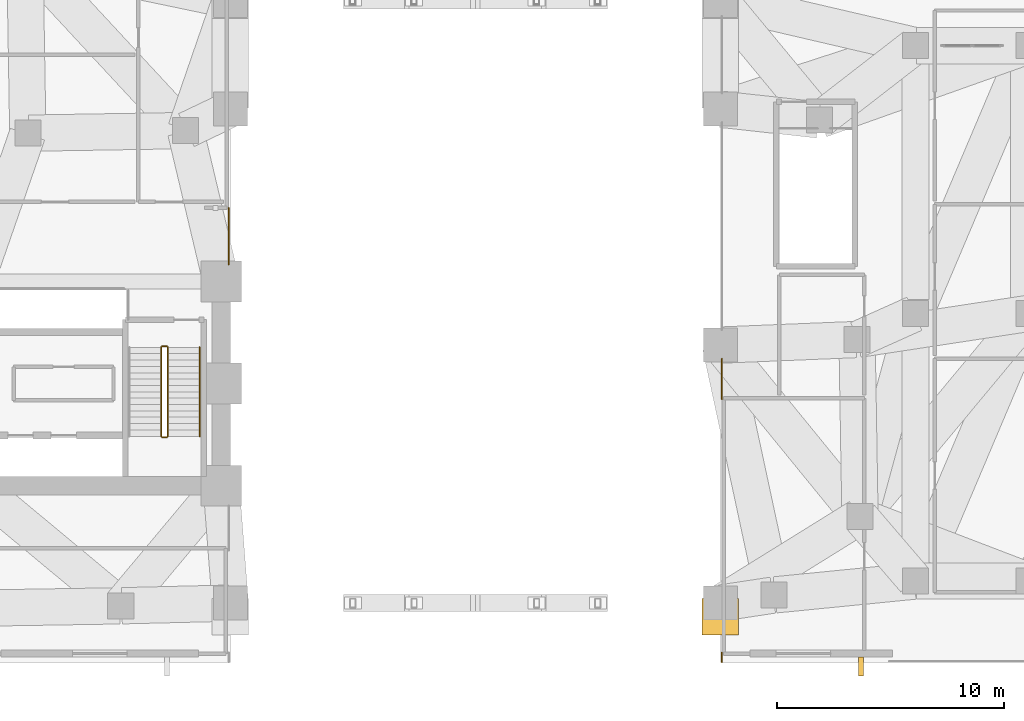
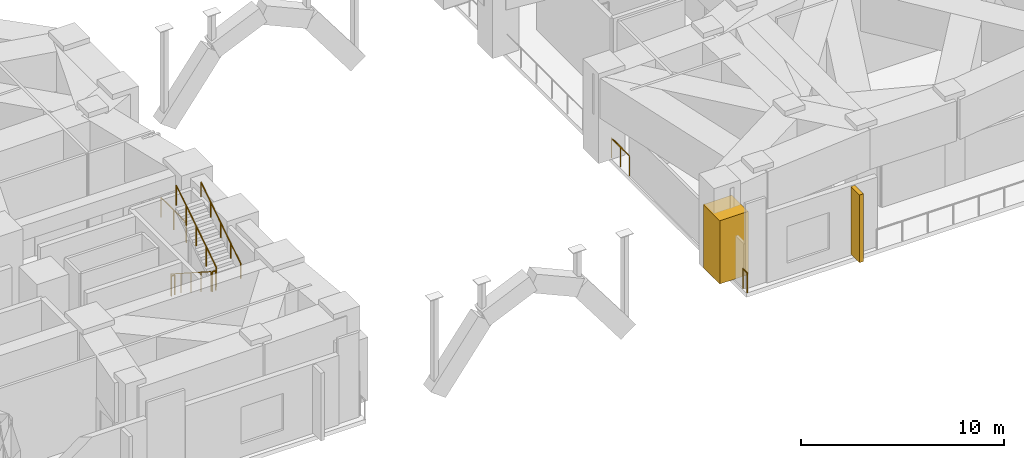
# One storey, part 13 of 15: 8 railings, 1 covering, 1 shading device.
"""IFC4 building model written with IfcOpenShell, lengths in metres."""

from ifc_helpers import new_model, si_unit, direction, frame, origin, origin_2d, place, context, subcontext, project, spatial, rectangle, circle, extrude, material, layer, layer_set, type_object, element, save


model = new_model("IFC4")

# Units and contexts
model_context = context("Model", 3, precision=1e-05, world=origin(), true_north=direction((0.0, 1.0)))
body_context = subcontext(model_context, "Body", "Model", "MODEL_VIEW")
ifc_project = project(units=[si_unit("LENGTHUNIT", "METRE"), si_unit("AREAUNIT", "SQUARE_METRE"), si_unit("VOLUMEUNIT", "CUBIC_METRE"), si_unit("PLANEANGLEUNIT", "RADIAN"), si_unit("MASSUNIT", "GRAM", prefix="KILO")], contexts=[model_context])

# Site, building, storey
site_placement = place(None, origin())
site = spatial("IfcSite", under=ifc_project, at=site_placement, CompositionType="ELEMENT")
building_placement = place(site_placement, origin())
building = spatial("IfcBuilding", under=site, at=building_placement, Name="Gaonmaruhae Medical Tower", CompositionType="ELEMENT")
storey_placement = place(building_placement, frame((0.0, 0.0, 21.60009765625)))
storey = spatial("IfcBuildingStorey", under=building, at=storey_placement, Name="L04", CompositionType="ELEMENT", Elevation=21.60009765625)

# Covering
ifc_material_1 = material(Name="Architectural precast column cladding", Category="concrete")
ifc_layer_1 = layer(ifc_material_1, 0.06005859375)
ifc_layer_set_1 = layer_set([ifc_layer_1], Name="Architectural precast column cladding")
covering_type = type_object("IfcCoveringType", Name="CLD-01 Architectural Precast Pier Cladding", PredefinedType="CLADDING", material=ifc_layer_set_1)
covering_placement = place(storey_placement, frame((57.60009765625, 2.02001953125, 0.10009765625), z_axis=(0.0, 0.0, 1.0), x_axis=(1.0, 0.0, 0.0)))
element("IfcCovering", 1, at=covering_placement, inside=storey, type_object=covering_type, Name="L04 Architectural Precast Column Cladding 2", PredefinedType="CLADDING", context=body_context, shape_type="SweptSolid", body=[
    extrude(rectangle(XDim=1.6201171875, YDim=1.6201171875, at=origin_2d()), origin(), (0.0, 0.0, 1.0), 3.800048828125),
])

# Railings
ifc_material_2 = material(Name="Stainless steel 316L and laminated safety glass", Category="steel")
ifc_layer_2 = layer(ifc_material_2, 0.080078125)
ifc_layer_set_2 = layer_set([ifc_layer_2], Name="Stainless steel 316L and laminated safety glass")
railing_type_1 = type_object("IfcRailingType", Name="GD-120 Outdoor Terrace Safety Glass & Steel Balustrade", PredefinedType="BALUSTRADE", material=ifc_layer_set_2)
railing_1_placement = place(storey_placement, frame((35.929931640625, 20.046875, 0.0)))
element("IfcRailing", 2, at=railing_1_placement, inside=storey, type_object=railing_type_1, Name="L04 Perimeter Slab Edge Safety Balustrade 13", PredefinedType="BALUSTRADE", context=body_context, shape_type="SweptSolid", body=[
    extrude(circle(Radius=0.02392578125, at=origin_2d()), frame((0.0, 0.0, 1.17578125), z_axis=(0.0, -1.0, 0.0), x_axis=(1.0, 0.0, 0.0)), (0.0, 0.0, 1.0), 2.49853515625),
    extrude(circle(Radius=0.02099609375, at=origin_2d()), origin(), (0.0, 0.0, 1.0), 1.15185546875),
    extrude(circle(Radius=0.02099609375, at=origin_2d()), frame((0.0, -1.249267578125, 0.0)), (0.0, 0.0, 1.0), 1.15185546875),
    extrude(circle(Radius=0.02099609375, at=origin_2d()), frame((0.0, -2.49853515625, 0.0)), (0.0, 0.0, 1.0), 1.15185546875),
])
railing_2_placement = place(storey_placement, frame((57.669921875, 0.02001953125, 0.0)))
element("IfcRailing", 3, at=railing_2_placement, inside=storey, type_object=railing_type_1, Name="L04 Perimeter Slab Edge Safety Balustrade 34", PredefinedType="BALUSTRADE", context=body_context, shape_type="SweptSolid", body=[
    extrude(circle(Radius=0.02392578125, at=origin_2d()), frame((0.0, 0.0, 1.17578125), z_axis=(0.0, 1.0, 0.0), x_axis=(-1.0, 0.0, 0.0)), (0.0, 0.0, 1.0), 0.419677734375),
    extrude(circle(Radius=0.02099609375, at=origin_2d()), origin(), (0.0, 0.0, 1.0), 1.15185546875),
    extrude(circle(Radius=0.02099609375, at=origin_2d()), frame((0.0, 0.419677734375, 0.0)), (0.0, 0.0, 1.0), 1.15185546875),
])
railing_3_placement = place(storey_placement, frame((57.669921875, 11.6123046875, 0.0)))
element("IfcRailing", 4, at=railing_3_placement, inside=storey, type_object=railing_type_1, Name="L04 Perimeter Slab Edge Safety Balustrade 35", PredefinedType="BALUSTRADE", context=body_context, shape_type="SweptSolid", body=[
    extrude(circle(Radius=0.02392578125, at=origin_2d()), frame((0.0, 0.0, 1.17578125), z_axis=(0.0, 1.0, 0.0), x_axis=(-1.0, 0.0, 0.0)), (0.0, 0.0, 1.0), 1.77880859375),
    extrude(circle(Radius=0.02099609375, at=origin_2d()), origin(), (0.0, 0.0, 1.0), 1.15185546875),
    extrude(circle(Radius=0.02099609375, at=origin_2d()), frame((0.0, 0.889404296875, 0.0)), (0.0, 0.0, 1.0), 1.15185546875),
    extrude(circle(Radius=0.02099609375, at=origin_2d()), frame((0.0, 1.77880859375, 0.0)), (0.0, 0.0, 1.0), 1.15185546875),
])
ifc_material_3 = material(Name="Stainless steel 304 handrail", Category="steel")
railing_type_2 = type_object("IfcRailingType", Name="HR-092 Continuous Stainless Steel Stair Handrail", PredefinedType="HANDRAIL", material=ifc_material_3)
railing_4_placement = place(storey_placement, frame((34.64990234375, 9.97998046875, 2.8798828125)))
element("IfcRailing", 5, at=railing_4_placement, inside=storey, type_object=railing_type_2, Name="L04 ST-02 stair handrail 2", PredefinedType="HANDRAIL", context=body_context, shape_type="SweptSolid", body=[
    extrude(circle(Radius=0.02392578125, at=origin_2d()), frame((0.0, 0.0, 0.8759765625), z_axis=(0.0, 0.841171666519, 0.540768182723), x_axis=(-1.0, 0.0, 0.0)), (0.0, 0.0, 1.0), 4.66015625),
    extrude(circle(Radius=0.02099609375, at=origin_2d()), origin(), (0.0, 0.0, 1.0), 0.851806640625),
    extrude(circle(Radius=0.02099609375, at=origin_2d()), frame((0.0, 0.97998046875, 0.6298828125)), (0.0, 0.0, 1.0), 0.851806640625),
    extrude(circle(Radius=0.02099609375, at=origin_2d()), frame((0.0, 1.9599609375, 1.260009765625)), (0.0, 0.0, 1.0), 0.851806640625),
    extrude(circle(Radius=0.02099609375, at=origin_2d()), frame((0.0, 2.93994140625, 1.89013671875)), (0.0, 0.0, 1.0), 0.851806640625),
    extrude(circle(Radius=0.02099609375, at=origin_2d()), frame((0.0, 3.919921875, 2.52001953125)), (0.0, 0.0, 1.0), 0.851806640625),
])

# Shading device
ifc_material_4 = material(Name="Pigmented coral precast concrete C45/55", Category="concrete")
shading_device_type = type_object("IfcShadingDeviceType", Name="SD-FIN2 Podium Vertical Coral Precast Shading Fin", PredefinedType="USERDEFINED", material=ifc_material_4)
shading_device_placement = place(storey_placement, frame((63.800048828125, -0.1650390625, 0.059814453125), z_axis=(0.0, 0.0, 1.0), x_axis=(-1.0, 0.0, 0.0)))
element("IfcShadingDevice", 6, at=shading_device_placement, inside=storey, type_object=shading_device_type, Name="L04 Podium Coral Precast Shading Fin PB-S4", ObjectType="FIN", PredefinedType="USERDEFINED", context=body_context, shape_type="SweptSolid", body=[
    extrude(rectangle(XDim=0.219970703125, YDim=0.85009765625, at=origin_2d()), origin(), (0.0, 0.0, 1.0), 4.06005859375),
])

# Railings
ifc_material_5 = material(Name="Stainless steel 304 balustrade", Category="steel")
railing_type_3 = type_object("IfcRailingType", Name="SG-112 Stair Well & Ramp Void Safety Balustrade", PredefinedType="BALUSTRADE", material=ifc_material_5)
railing_5_placement = place(storey_placement, frame((32.949951171875, 13.89990234375, 0.179931640625)))
element("IfcRailing", 7, at=railing_5_placement, inside=storey, type_object=railing_type_3, Name="L04 ST-02 stair guard 1", PredefinedType="BALUSTRADE", context=body_context, shape_type="SweptSolid", body=[
    extrude(circle(Radius=0.02392578125, at=origin_2d()), frame((0.0, 0.0, 1.17578125), z_axis=(0.0, -0.841171666519, 0.540768182723), x_axis=(1.0, 0.0, 0.0)), (0.0, 0.0, 1.0), 4.66015625),
    extrude(circle(Radius=0.02099609375, at=origin_2d()), origin(), (0.0, 0.0, 1.0), 1.15185546875),
    extrude(circle(Radius=0.02099609375, at=origin_2d()), frame((0.0, -0.97998046875, 0.6298828125)), (0.0, 0.0, 1.0), 1.15185546875),
    extrude(circle(Radius=0.02099609375, at=origin_2d()), frame((0.0, -1.9599609375, 1.260009765625)), (0.0, 0.0, 1.0), 1.15185546875),
    extrude(circle(Radius=0.02099609375, at=origin_2d()), frame((0.0, -2.93994140625, 1.89013671875)), (0.0, 0.0, 1.0), 1.15185546875),
    extrude(circle(Radius=0.02099609375, at=origin_2d()), frame((0.0, -3.919921875, 2.52001953125)), (0.0, 0.0, 1.0), 1.15185546875),
])
railing_6_placement = place(storey_placement, frame((33.0, 9.929931640625, 2.699951171875)))
element("IfcRailing", 8, at=railing_6_placement, inside=storey, type_object=railing_type_3, Name="L04 ST-02 stair guard 2", PredefinedType="BALUSTRADE", context=body_context, shape_type="SweptSolid", body=[
    extrude(circle(Radius=0.02392578125, at=origin_2d()), frame((0.0, 0.0, 1.17578125), z_axis=(1.0, 0.0, 0.0), x_axis=(0.0, 1.0, 0.0)), (0.0, 0.0, 1.0), 0.199951171875),
    extrude(circle(Radius=0.02099609375, at=origin_2d()), origin(), (0.0, 0.0, 1.0), 1.15185546875),
    extrude(circle(Radius=0.02099609375, at=origin_2d()), frame((0.199951171875, 0.0, 0.0)), (0.0, 0.0, 1.0), 1.15185546875),
])
railing_7_placement = place(storey_placement, frame((33.25, 9.97998046875, 2.8798828125)))
element("IfcRailing", 9, at=railing_7_placement, inside=storey, type_object=railing_type_3, Name="L04 ST-02 stair guard 3", PredefinedType="BALUSTRADE", context=body_context, shape_type="SweptSolid", body=[
    extrude(circle(Radius=0.02392578125, at=origin_2d()), frame((0.0, 0.0, 1.17578125), z_axis=(0.0, 0.841171666519, 0.540768182723), x_axis=(-1.0, 0.0, 0.0)), (0.0, 0.0, 1.0), 4.66015625),
    extrude(circle(Radius=0.02099609375, at=origin_2d()), origin(), (0.0, 0.0, 1.0), 1.15185546875),
    extrude(circle(Radius=0.02099609375, at=origin_2d()), frame((0.0, 0.97998046875, 0.6298828125)), (0.0, 0.0, 1.0), 1.15185546875),
    extrude(circle(Radius=0.02099609375, at=origin_2d()), frame((0.0, 1.9599609375, 1.260009765625)), (0.0, 0.0, 1.0), 1.15185546875),
    extrude(circle(Radius=0.02099609375, at=origin_2d()), frame((0.0, 2.93994140625, 1.89013671875)), (0.0, 0.0, 1.0), 1.15185546875),
    extrude(circle(Radius=0.02099609375, at=origin_2d()), frame((0.0, 3.919921875, 2.52001953125)), (0.0, 0.0, 1.0), 1.15185546875),
])
railing_8_placement = place(storey_placement, frame((33.0, 13.949951171875, 0.0)))
element("IfcRailing", 10, at=railing_8_placement, inside=storey, type_object=railing_type_3, Name="L04 ST-02 stair guard 4", PredefinedType="BALUSTRADE", context=body_context, shape_type="SweptSolid", body=[
    extrude(circle(Radius=0.02392578125, at=origin_2d()), frame((0.0, 0.0, 1.17578125), z_axis=(1.0, 0.0, 0.0), x_axis=(0.0, 1.0, 0.0)), (0.0, 0.0, 1.0), 0.199951171875),
    extrude(circle(Radius=0.02099609375, at=origin_2d()), origin(), (0.0, 0.0, 1.0), 1.15185546875),
    extrude(circle(Radius=0.02099609375, at=origin_2d()), frame((0.199951171875, 0.0, 0.0)), (0.0, 0.0, 1.0), 1.15185546875),
])

save(model, "model.ifc")
